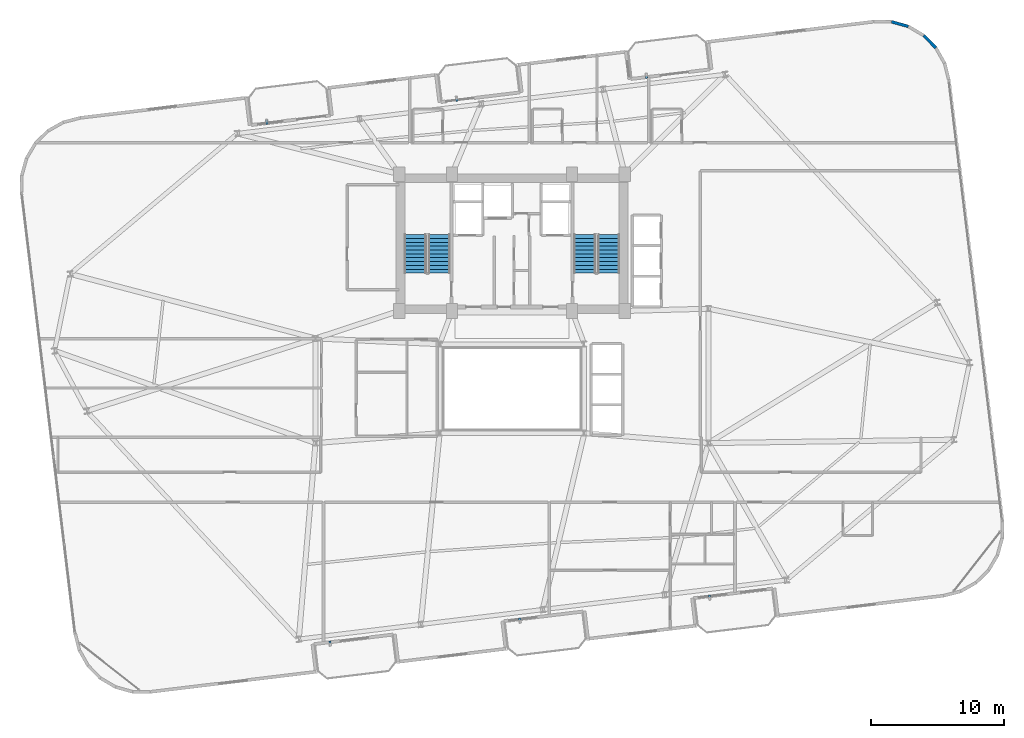
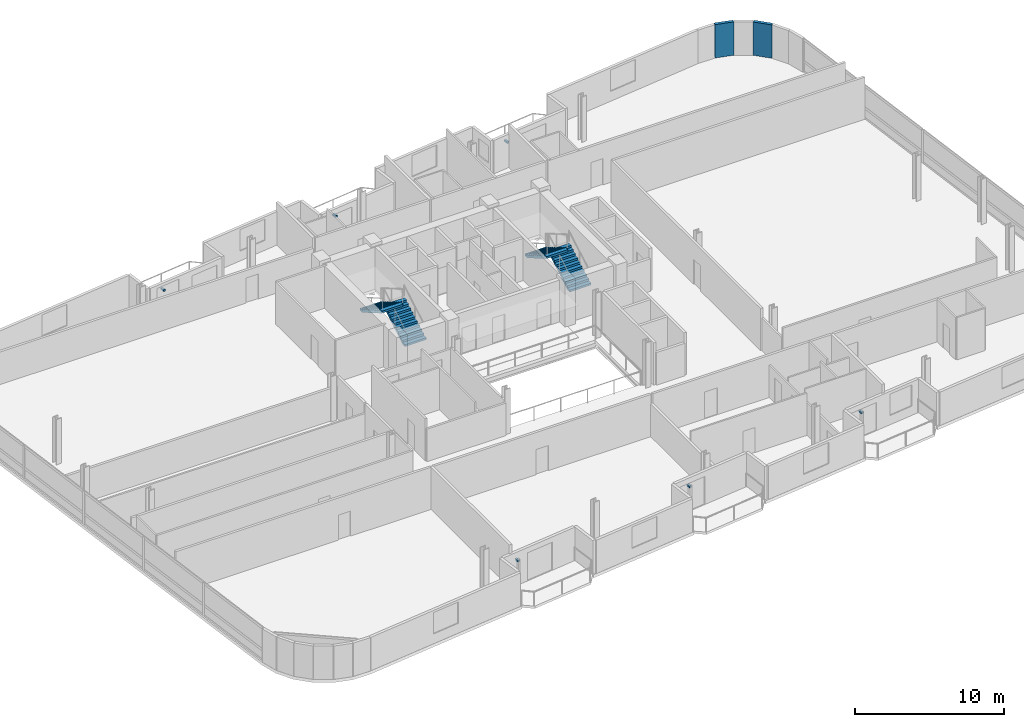
# One storey, part 19 of 23: 6 discrete accessories, 4 stair flights, 2 walls, 2 elements without a shape of their own.
"""IFC4 building model written with IfcOpenShell, lengths in metres."""

from ifc_helpers import new_model, si_unit, direction, frame, frame_2d, origin, origin_2d, place, context, subcontext, project, spatial, polyline, rectangle, outline, extrude, source, transform, mapped, material, layer, layer_set, type_object, element, aggregate, save


model = new_model("IFC4")

# Units and contexts
model_context = context("Model", 3, precision=1e-05, world=origin(), true_north=direction((0.0, 1.0)))
body_context = subcontext(model_context, "Body", "Model", "MODEL_VIEW")
ifc_project = project(units=[si_unit("LENGTHUNIT", "METRE"), si_unit("AREAUNIT", "SQUARE_METRE"), si_unit("VOLUMEUNIT", "CUBIC_METRE"), si_unit("PLANEANGLEUNIT", "RADIAN"), si_unit("MASSUNIT", "GRAM", prefix="KILO")], contexts=[model_context])

# Site, building, storey
site_placement = place(None, origin())
site = spatial("IfcSite", under=ifc_project, at=site_placement, CompositionType="ELEMENT")
building_placement = place(site_placement, origin())
building = spatial("IfcBuilding", under=site, at=building_placement, Name="Varnelok Gate Tower", CompositionType="ELEMENT")
storey_placement = place(building_placement, frame((0.0, 0.0, 182.0)))
storey = spatial("IfcBuildingStorey", under=building, at=storey_placement, Name="L46", CompositionType="ELEMENT", Elevation=182.0)

# Walls
ifc_material_1 = material(Name="Concrete C45/55", Category="concrete")
ifc_layer = layer(ifc_material_1, 0.219970703125)
ifc_layer_set = layer_set([ifc_layer], Name="Concrete C45/55")
wall_type = type_object("IfcWallType", Name="EW-BALC-220", PredefinedType="SOLIDWALL", material=ifc_layer_set)
for number, where, z_axis, x_axis, name in (
    (1, (71.114990234375, 48.5693359375, 0.0), (0.0, 0.0, 1.0), (-0.699844331926, 0.714295394827, 0.0), "L46 Perimeter Facade Closure Wall 25"),
    (2, (69.0390625, 50.179931640625, 0.0), (0.0, 0.0, 1.0), (-0.963205341366, 0.26876657226, 0.0), "L46 Perimeter Facade Closure Wall 27"),
):
    element("IfcWall", number, at=place(storey_placement, frame(where, z_axis=z_axis, x_axis=x_axis)), inside=storey, type_object=wall_type, Name=name, PredefinedType="SOLIDWALL", context=body_context, shape_type="SweptSolid", body=[
        extrude(rectangle(XDim=1.30078125, YDim=0.219970703125, at=frame_2d((0.650390625, 0.0))), origin(), (0.0, 0.0, 1.0), 2.72998046875),
    ])

# Stair, stair flights
ifc_material_2 = material(Name="Concrete C50/60", Category="concrete")
stair_type = type_object("IfcStairType", Name="STR-CORE-1650", PredefinedType="HALF_TURN_STAIR", material=ifc_material_2)
stair_1_placement = place(storey_placement, origin())
stair_1 = element("IfcStair", 3, at=stair_1_placement, inside=storey, type_object=stair_type, Name="L46 Exit Stair ST-1", PredefinedType="HALF_TURN_STAIR")
stair_flight_type = type_object("IfcStairFlightType", Name="SFL-CORE-1650", PredefinedType="STRAIGHT", material=ifc_material_2)
stair_flight_1_placement = place(storey_placement, frame((33.72509765625, 31.60009765625, 0.0), z_axis=(0.0, 0.0, 1.0), x_axis=(0.0, 1.0, 0.0)))
stair_flight_1 = element("IfcStairFlight", 4, at=stair_flight_1_placement, type_object=stair_flight_type, Name="ST-1 flight 1", NumberOfRisers=11, NumberOfTreads=10, PredefinedType="STRAIGHT", RiserHeight=0.168181818, TreadLength=0.29, context=body_context, shape_type="SweptSolid", body=[
    extrude(outline(polyline([(0.0, 0.0), (0.0, 0.168212890625), (0.2900390625, 0.168212890625), (0.2900390625, 0.33642578125), (0.580078125, 0.33642578125), (0.580078125, 0.504638671875), (0.8701171875, 0.504638671875), (0.8701171875, 0.672607421875), (1.159912109375, 0.672607421875), (1.159912109375, 0.8408203125), (1.449951171875, 0.8408203125), (1.449951171875, 1.009033203125), (1.739990234375, 1.009033203125), (1.739990234375, 1.17724609375), (2.030029296875, 1.17724609375), (2.030029296875, 1.345458984375), (2.320068359375, 1.345458984375), (2.320068359375, 1.513671875), (2.610107421875, 1.513671875), (2.610107421875, 1.681884765625), (2.89990234375, 1.681884765625), (2.89990234375, 1.85009765625), (2.89990234375, 1.508544921875), (0.298828125, 0.0), (0.0, 0.0)])), frame((0.0, 0.824951171875, 0.0), z_axis=(0.0, -1.0, 0.0), x_axis=(1.0, 0.0, 0.0)), (0.0, 0.0, 1.0), 1.64990234375),
])
stair_flight_2_placement = place(storey_placement, frame((31.925048828125, 34.5, 1.85009765625), z_axis=(0.0, 0.0, 1.0), x_axis=(0.0, -1.0, 0.0)))
stair_flight_2 = element("IfcStairFlight", 5, at=stair_flight_2_placement, type_object=stair_flight_type, Name="ST-1 flight 2", NumberOfRisers=11, NumberOfTreads=10, PredefinedType="STRAIGHT", RiserHeight=0.168181818, TreadLength=0.29, context=body_context, shape_type="SweptSolid", body=[
    extrude(outline(polyline([(0.0, 0.0), (0.0, 0.168212890625), (0.2900390625, 0.168212890625), (0.2900390625, 0.33642578125), (0.580078125, 0.33642578125), (0.580078125, 0.504638671875), (0.8701171875, 0.504638671875), (0.8701171875, 0.672607421875), (1.159912109375, 0.672607421875), (1.159912109375, 0.8408203125), (1.449951171875, 0.8408203125), (1.449951171875, 1.009033203125), (1.739990234375, 1.009033203125), (1.739990234375, 1.17724609375), (2.030029296875, 1.17724609375), (2.030029296875, 1.345458984375), (2.320068359375, 1.345458984375), (2.320068359375, 1.513671875), (2.610107421875, 1.513671875), (2.610107421875, 1.681884765625), (2.89990234375, 1.681884765625), (2.89990234375, 1.85009765625), (2.89990234375, 1.508544921875), (0.298828125, 0.0), (0.0, 0.0)])), frame((0.0, 0.824951171875, 0.0), z_axis=(0.0, -1.0, 0.0), x_axis=(1.0, 0.0, 0.0)), (0.0, 0.0, 1.0), 1.64990234375),
])
aggregate(stair_1, [stair_flight_1, stair_flight_2])

stair_2_placement = place(storey_placement, origin())
stair_2 = element("IfcStair", 6, at=stair_2_placement, inside=storey, type_object=stair_type, Name="L46 Exit Stair ST-2", PredefinedType="HALF_TURN_STAIR")
stair_flight_3_placement = place(storey_placement, frame((46.47509765625, 31.60009765625, 0.0), z_axis=(0.0, 0.0, 1.0), x_axis=(0.0, 1.0, 0.0)))
stair_flight_3 = element("IfcStairFlight", 7, at=stair_flight_3_placement, type_object=stair_flight_type, Name="ST-2 flight 1", NumberOfRisers=11, NumberOfTreads=10, PredefinedType="STRAIGHT", RiserHeight=0.168181818, TreadLength=0.29, context=body_context, shape_type="SweptSolid", body=[
    extrude(outline(polyline([(0.0, 0.0), (0.0, 0.168212890625), (0.2900390625, 0.168212890625), (0.2900390625, 0.33642578125), (0.580078125, 0.33642578125), (0.580078125, 0.504638671875), (0.8701171875, 0.504638671875), (0.8701171875, 0.672607421875), (1.159912109375, 0.672607421875), (1.159912109375, 0.8408203125), (1.449951171875, 0.8408203125), (1.449951171875, 1.009033203125), (1.739990234375, 1.009033203125), (1.739990234375, 1.17724609375), (2.030029296875, 1.17724609375), (2.030029296875, 1.345458984375), (2.320068359375, 1.345458984375), (2.320068359375, 1.513671875), (2.610107421875, 1.513671875), (2.610107421875, 1.681884765625), (2.89990234375, 1.681884765625), (2.89990234375, 1.85009765625), (2.89990234375, 1.508544921875), (0.298828125, 0.0), (0.0, 0.0)])), frame((0.0, 0.824951171875, 0.0), z_axis=(0.0, -1.0, 0.0), x_axis=(1.0, 0.0, 0.0)), (0.0, 0.0, 1.0), 1.64990234375),
])
stair_flight_4_placement = place(storey_placement, frame((44.675048828125, 34.5, 1.85009765625), z_axis=(0.0, 0.0, 1.0), x_axis=(0.0, -1.0, 0.0)))
stair_flight_4 = element("IfcStairFlight", 8, at=stair_flight_4_placement, type_object=stair_flight_type, Name="ST-2 flight 2", NumberOfRisers=11, NumberOfTreads=10, PredefinedType="STRAIGHT", RiserHeight=0.168181818, TreadLength=0.29, context=body_context, shape_type="SweptSolid", body=[
    extrude(outline(polyline([(0.0, 0.0), (0.0, 0.168212890625), (0.2900390625, 0.168212890625), (0.2900390625, 0.33642578125), (0.580078125, 0.33642578125), (0.580078125, 0.504638671875), (0.8701171875, 0.504638671875), (0.8701171875, 0.672607421875), (1.159912109375, 0.672607421875), (1.159912109375, 0.8408203125), (1.449951171875, 0.8408203125), (1.449951171875, 1.009033203125), (1.739990234375, 1.009033203125), (1.739990234375, 1.17724609375), (2.030029296875, 1.17724609375), (2.030029296875, 1.345458984375), (2.320068359375, 1.345458984375), (2.320068359375, 1.513671875), (2.610107421875, 1.513671875), (2.610107421875, 1.681884765625), (2.89990234375, 1.681884765625), (2.89990234375, 1.85009765625), (2.89990234375, 1.508544921875), (0.298828125, 0.0), (0.0, 0.0)])), frame((0.0, 0.824951171875, 0.0), z_axis=(0.0, -1.0, 0.0), x_axis=(1.0, 0.0, 0.0)), (0.0, 0.0, 1.0), 1.64990234375),
])
aggregate(stair_2, [stair_flight_3, stair_flight_4])

# Discrete accessories
ifc_material_3 = material(Name="Structural Steel ASTM A500 Grade C", Category="steel")
discrete_accessory_type = type_object("IfcDiscreteAccessoryType", Name="ACC-BAGUETTE-BRK", PredefinedType="BRACKET", material=ifc_material_3)
shared_shape = source(origin(), body_context, "Body", "SweptSolid", [
    extrude(rectangle(XDim=0.159912109375, YDim=0.340087890625, at=origin_2d()), origin(), (0.0, 0.0, 1.0), 0.139892578125),
])
for number, where, z_axis, x_axis, name in (
    (9, (25.4970703125, 3.72412109375, 1.97998046875), (0.0, 0.0, 1.0), (0.992732158755, 0.12034475881, 0.0), "L46 Terracotta Baguette Bracket 1.1"),
    (10, (39.792236328125, 5.45703125, 1.97998046875), (0.0, 0.0, 1.0), (0.992732158755, 0.12034475881, 0.0), "L46 Terracotta Baguette Bracket 2.1"),
    (11, (54.087646484375, 7.18994140625, 1.97998046875), (0.0, 0.0, 1.0), (0.992732158755, 0.12034475881, 0.0), "L46 Terracotta Baguette Bracket 3.1"),
    (12, (20.738525390625, 42.976806640625, 1.97998046875), (0.0, 0.0, 1.0), (0.992732158755, 0.12034475881, 0.0), "L46 Terracotta Baguette Bracket 4.1"),
    (13, (35.033935546875, 44.709716796875, 1.97998046875), (0.0, 0.0, 1.0), (0.992732158755, 0.12034475881, 0.0), "L46 Terracotta Baguette Bracket 5.1"),
    (14, (49.3291015625, 46.442626953125, 1.97998046875), (0.0, 0.0, 1.0), (0.992732158755, 0.12034475881, 0.0), "L46 Terracotta Baguette Bracket 6.1"),
):
    element("IfcDiscreteAccessory", number, at=place(storey_placement, frame(where, z_axis=z_axis, x_axis=x_axis)), inside=storey, type_object=discrete_accessory_type, Name=name, PredefinedType="BRACKET", context=body_context, shape_type="MappedRepresentation", body=[
        mapped(shared_shape, transform((0.0, 0.0, 0.0), scale=1.0)),
    ])

save(model, "model.ifc")
